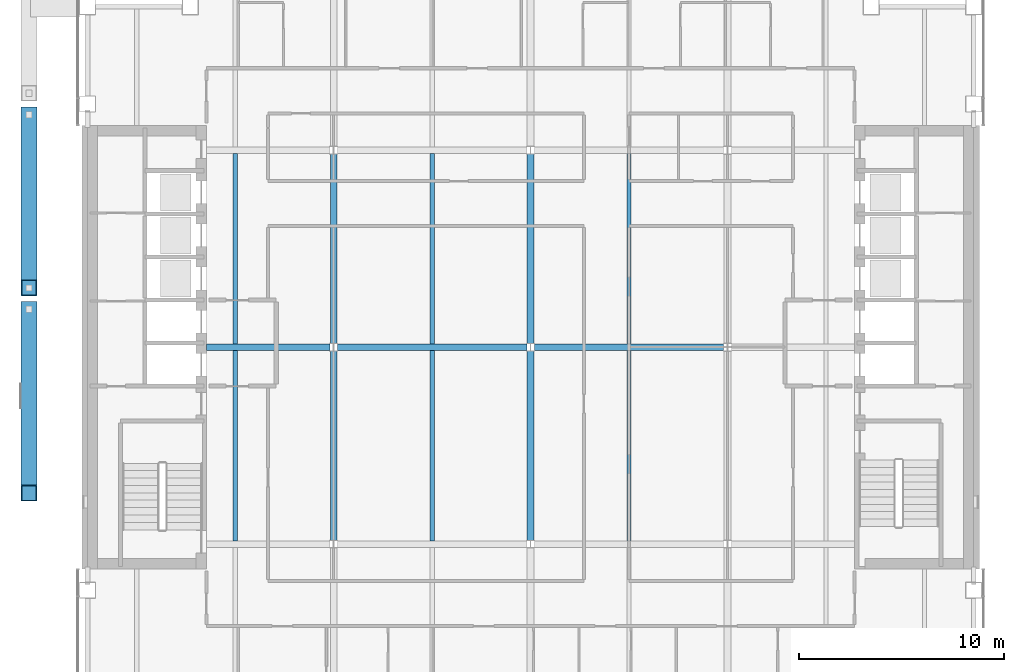
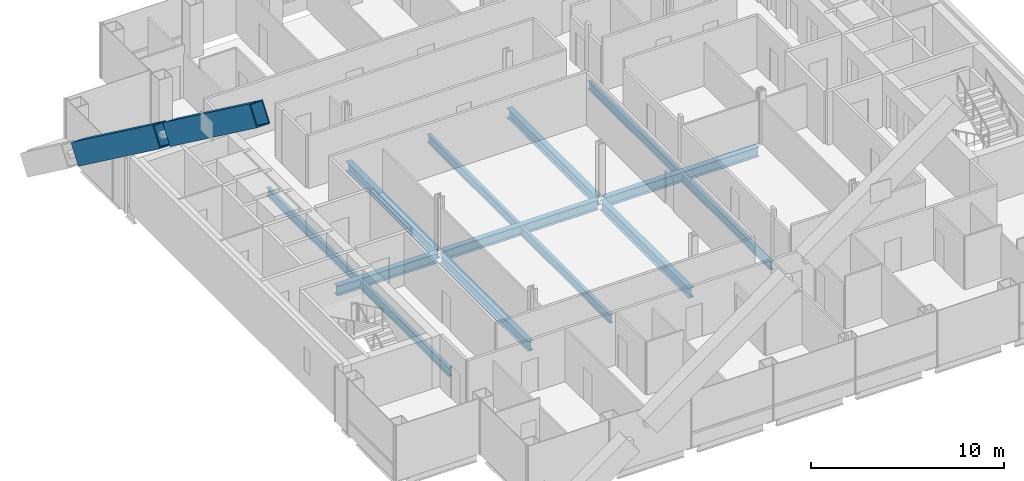
# One storey, part 5 of 18: 13 beams, 2 members.
"""IFC4 building model written with IfcOpenShell, lengths in metres."""

from ifc_helpers import new_model, si_unit, direction, frame, origin, origin_2d, place, context, subcontext, project, spatial, hollow_rectangle, i_section, extrude, material, material_profile, profile_set, type_object, element, save


model = new_model("IFC4")

# Units and contexts
model_context = context("Model", 3, precision=1e-05, world=origin(), true_north=direction((0.0, 1.0)))
body_context = subcontext(model_context, "Body", "Model", "MODEL_VIEW")
ifc_project = project(units=[si_unit("LENGTHUNIT", "METRE"), si_unit("AREAUNIT", "SQUARE_METRE"), si_unit("VOLUMEUNIT", "CUBIC_METRE"), si_unit("PLANEANGLEUNIT", "RADIAN"), si_unit("MASSUNIT", "GRAM", prefix="KILO")], contexts=[model_context])

# Site, building, storey
site_placement = place(None, origin())
site = spatial("IfcSite", under=ifc_project, at=site_placement, CompositionType="ELEMENT")
building_placement = place(site_placement, origin())
building = spatial("IfcBuilding", under=site, at=building_placement, Name="Cobrizo Arcos Hotel Tower", CompositionType="ELEMENT")
storey_placement = place(building_placement, frame((0.0, 0.0, 158.5)))
storey = spatial("IfcBuildingStorey", under=building, at=storey_placement, Name="L40", CompositionType="ELEMENT", Elevation=158.5)

# Members
ifc_material_1 = material(Name="Steel ASTM A572 Grade 50", Category="steel")
ifc_material_profile_1 = material_profile(ifc_material_1, hollow_rectangle(XDim=0.800048828125, YDim=1.300048828125, WallThickness=0.06005859375, at=origin_2d()), Name="BOX 800X1300X60")
ifc_profile_set_1 = profile_set([ifc_material_profile_1], Name="Steel ASTM A572 Grade 50")
member_type = type_object("IfcMemberType", Name="BOX 800X1300X60 perimeter brace", PredefinedType="BRACE", material=ifc_profile_set_1)
member_1_placement = place(storey_placement, frame((-24.449951171875, 11.333984375, 4.385986328125), z_axis=(0.0, -0.804623858684, 0.593784848271), x_axis=(1.0, 0.0, 0.0)))
element("IfcMember", 1, at=member_1_placement, inside=storey, type_object=member_type, Name="Perimeter brace PBR3, zone Z3, west face, no. 08b", PredefinedType="BRACE", context=body_context, shape_type="SweptSolid", body=[
    extrude(hollow_rectangle(XDim=0.800048828125, YDim=1.300048828125, WallThickness=0.06005859375, at=origin_2d()), origin(), (0.0, 0.0, 1.0), 10.48876953125),
])
member_2_placement = place(storey_placement, frame((-24.449951171875, 1.84814453125, 11.385986328125), z_axis=(0.0, -0.804620954099, 0.593788784186), x_axis=(1.0, 0.0, 0.0)))
element("IfcMember", 2, at=member_2_placement, inside=storey, type_object=member_type, Name="Perimeter brace PBR3, zone Z3, west face, no. 08c", PredefinedType="BRACE", context=body_context, shape_type="SweptSolid", body=[
    extrude(hollow_rectangle(XDim=0.800048828125, YDim=1.300048828125, WallThickness=0.06005859375, at=origin_2d()), origin(), (0.0, 0.0, 1.0), 11.138671875),
])

# Beams
ifc_material_2 = material(Name="Steel ASTM A992 Grade 50", Category="steel")
ifc_material_profile_2 = material_profile(ifc_material_2, i_section(OverallWidth=0.209228515625, OverallDepth=0.533447265625, WebThickness=0.01025390625, FlangeThickness=0.015625, at=origin_2d()), Name="W21X62")
ifc_profile_set_2 = profile_set([ifc_material_profile_2], Name="Steel ASTM A992 Grade 50")
beam_type_1 = type_object("IfcBeamType", Name="W21X62 joist", PredefinedType="JOIST", material=ifc_profile_set_2)
for number, where, z_axis, x_axis, name in (
    (3, (-14.39990234375, -9.43603515625, -0.416748046875), (0.0, 1.0, 0.0), (-1.0, 0.0, 0.0), "Floor joist J1, L40, no. 004"),
    (4, (-14.39990234375, 0.163818359375, -0.416748046875), (0.0, 1.0, 0.0), (-1.0, 0.0, 0.0), "Floor joist J1, L40, no. 005"),
    (5, (-4.800048828125, -9.43603515625, -0.416748046875), (0.0, 1.0, 0.0), (-1.0, 0.0, 0.0), "Floor joist J1, L40, no. 008"),
    (6, (-4.800048828125, 0.163818359375, -0.416748046875), (0.0, 1.0, 0.0), (-1.0, 0.0, 0.0), "Floor joist J1, L40, no. 009"),
    (7, (4.800048828125, -9.43603515625, -0.416748046875), (0.0, 1.0, 0.0), (-1.0, 0.0, 0.0), "Floor joist J1, L40, no. 012"),
    (8, (4.800048828125, 0.163818359375, -0.416748046875), (0.0, 1.0, 0.0), (-1.0, 0.0, 0.0), "Floor joist J1, L40, no. 013"),
):
    element("IfcBeam", number, at=place(storey_placement, frame(where, z_axis=z_axis, x_axis=x_axis)), inside=storey, type_object=beam_type_1, Name=name, PredefinedType="JOIST", context=body_context, shape_type="SweptSolid", body=[
        extrude(i_section(OverallWidth=0.209228515625, OverallDepth=0.533447265625, WebThickness=0.01025390625, FlangeThickness=0.015625, at=origin_2d()), origin(), (0.0, 0.0, 1.0), 9.272216796875),
    ])
ifc_material_profile_3 = material_profile(ifc_material_2, i_section(OverallWidth=0.32763671875, OverallDepth=0.622314453125, WebThickness=0.015380859375, FlangeThickness=0.0244140625, at=origin_2d()), Name="W24X131")
ifc_profile_set_3 = profile_set([ifc_material_profile_3], Name="Steel ASTM A992 Grade 50")
beam_type_2 = type_object("IfcBeamType", Name="W24X131 girder", PredefinedType="BEAM", material=ifc_profile_set_3)
beam_placement = place(storey_placement, frame((-15.7900390625, 0.0, -0.461181640625), z_axis=(1.0, 0.0, 0.0), x_axis=(0.0, 1.0, 0.0)))
element("IfcBeam", 9, at=beam_placement, inside=storey, type_object=beam_type_2, Name="Floor girder G1, L40, no. 005", PredefinedType="BEAM", context=body_context, shape_type="SweptSolid", body=[
    extrude(i_section(OverallWidth=0.32763671875, OverallDepth=0.622314453125, WebThickness=0.015380859375, FlangeThickness=0.0244140625, at=origin_2d()), origin(), (0.0, 0.0, 1.0), 6.00341796875),
])
for number, where, z_axis, x_axis, name in (
    (10, (-9.413330078125, 0.0, -0.461181640625), (1.0, 0.0, 0.0), (0.0, 1.0, 0.0), "Floor girder G1, L40, no. 006"),
    (11, (0.186767578125, 0.0, -0.461181640625), (1.0, 0.0, 0.0), (0.0, 1.0, 0.0), "Floor girder G1, L40, no. 007"),
    (12, (-9.60009765625, -9.413330078125, -0.461181640625), (0.0, 1.0, 0.0), (-1.0, 0.0, 0.0), "Floor girder G1, L40, no. 014"),
    (13, (-9.60009765625, 0.186767578125, -0.461181640625), (0.0, 1.0, 0.0), (-1.0, 0.0, 0.0), "Floor girder G1, L40, no. 015"),
    (14, (0.0, -9.413330078125, -0.461181640625), (0.0, 1.0, 0.0), (-1.0, 0.0, 0.0), "Floor girder G1, L40, no. 018"),
    (15, (0.0, 0.186767578125, -0.461181640625), (0.0, 1.0, 0.0), (-1.0, 0.0, 0.0), "Floor girder G1, L40, no. 019"),
):
    element("IfcBeam", number, at=place(storey_placement, frame(where, z_axis=z_axis, x_axis=x_axis)), inside=storey, type_object=beam_type_2, Name=name, PredefinedType="BEAM", context=body_context, shape_type="SweptSolid", body=[
        extrude(i_section(OverallWidth=0.32763671875, OverallDepth=0.622314453125, WebThickness=0.015380859375, FlangeThickness=0.0244140625, at=origin_2d()), origin(), (0.0, 0.0, 1.0), 9.2265625),
    ])

save(model, "model.ifc")
